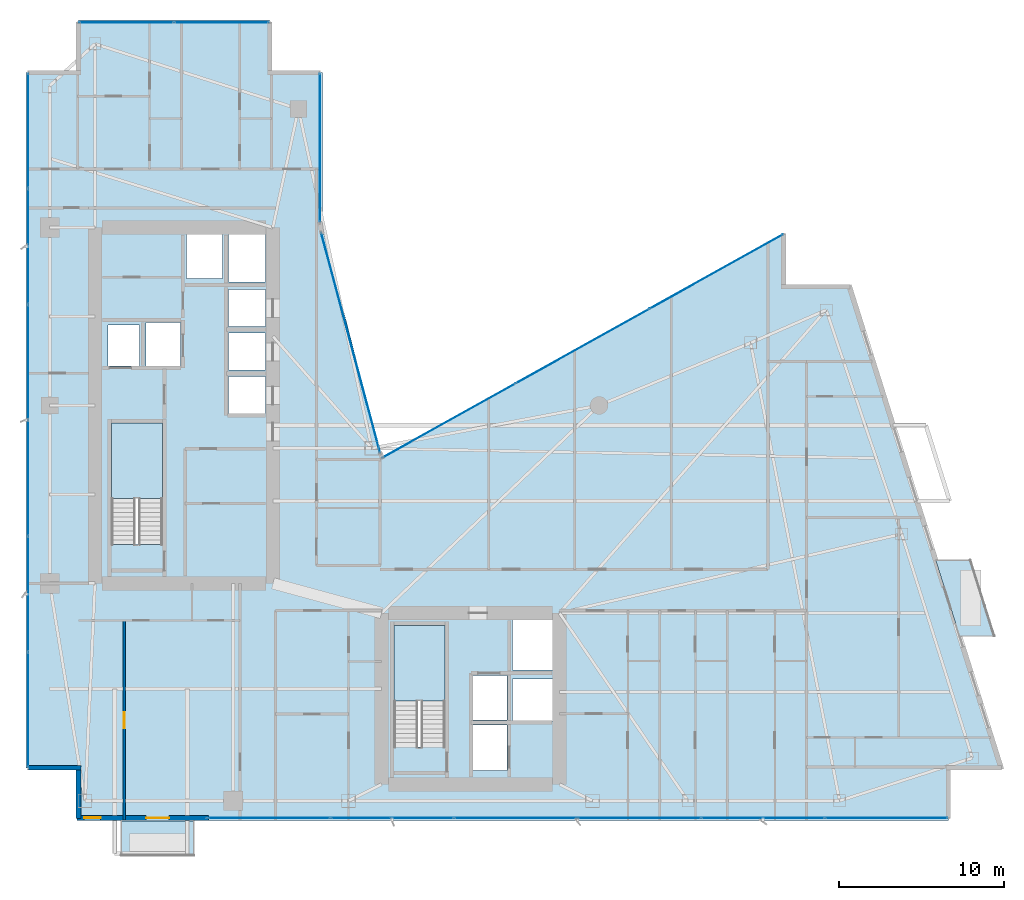
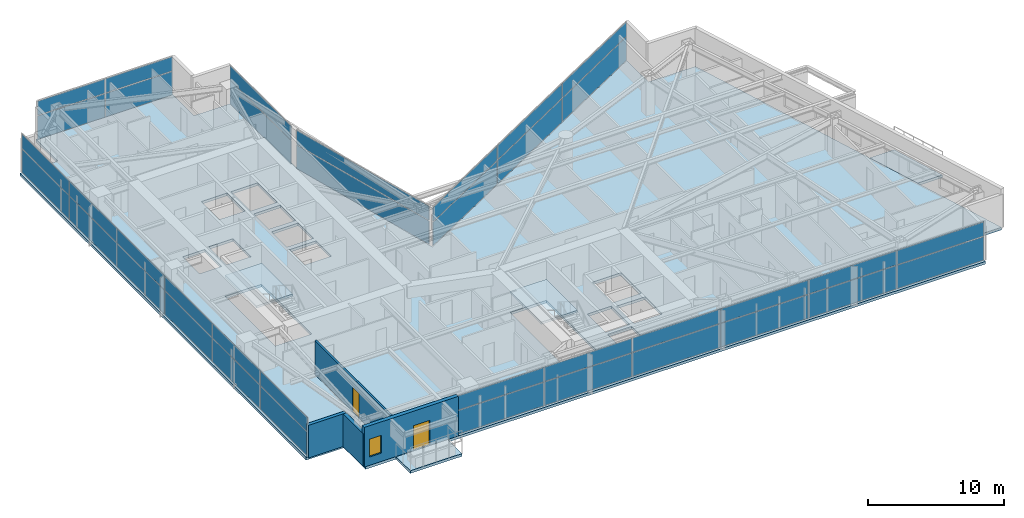
# One storey, part 21 of 28: 38 plates, 5 slabs, 4 walls, 2 doors, 1 window, 3 openings, 8 elements without a shape of their own.
"""IFC4 building model written with IfcOpenShell, lengths in metres."""

from ifc_helpers import new_model, si_unit, direction, frame, frame_2d, origin, origin_2d, place, context, subcontext, project, spatial, polyline, rectangle, outline, extrude, material, layer, layer_set, type_object, element, fill, aggregate, save


model = new_model("IFC4")

# Units and contexts
model_context = context("Model", 3, precision=1e-05, world=origin(), true_north=direction((0.0, 1.0)))
body_context = subcontext(model_context, "Body", "Model", "MODEL_VIEW")
ifc_project = project(units=[si_unit("LENGTHUNIT", "METRE"), si_unit("AREAUNIT", "SQUARE_METRE"), si_unit("VOLUMEUNIT", "CUBIC_METRE"), si_unit("PLANEANGLEUNIT", "RADIAN"), si_unit("MASSUNIT", "GRAM", prefix="KILO")], contexts=[model_context])

# Site, building, storey
site_placement = place(None, origin())
site = spatial("IfcSite", under=ifc_project, at=site_placement, CompositionType="ELEMENT")
building_placement = place(site_placement, origin())
building = spatial("IfcBuilding", under=site, at=building_placement, Name="Calvorn Quay Hotel", CompositionType="ELEMENT")
storey_placement = place(building_placement, frame((0.0, 0.0, 178.89990234375)))
storey = spatial("IfcBuildingStorey", under=building, at=storey_placement, Name="L44", CompositionType="ELEMENT", Elevation=178.89990234375)

# Curtain wall, plates
ifc_material_1 = material(Name="Pale Anodised Aluminium and Low-E Glass", Category="aluminium")
ifc_layer_1 = layer(ifc_material_1, 0.219970703125)
ifc_layer_set_1 = layer_set([ifc_layer_1], Name="CW-SYS-Z2")
curtain_wall_type = type_object("IfcCurtainWallType", Name="CW-SYS-Z2", PredefinedType="NOTDEFINED", material=ifc_layer_set_1)
curtain_wall_1_placement = place(storey_placement, origin())
curtain_wall_1 = element("IfcCurtainWall", 1, at=curtain_wall_1_placement, inside=storey, type_object=curtain_wall_type, Name="Tower West Curtain Wall (L44)", PredefinedType="NOTDEFINED")
ifc_material_2 = material(Name="Low-E Laminated Double Glazing", Category="glass")
ifc_layer_2 = layer(ifc_material_2, 0.028076171875)
ifc_layer_set_2 = layer_set([ifc_layer_2], Name="CW-SYS-Z2-PAN")
plate_type = type_object("IfcPlateType", Name="CW-SYS-Z2-PAN", PredefinedType="CURTAIN_PANEL", material=ifc_layer_set_2)
plate_1_placement = place(storey_placement, frame((0.14990234375, 9.131591796875, 0.06005859375), z_axis=(0.0, 0.0, 1.0), x_axis=(0.0, 1.0, 0.0)))
plate_1 = element("IfcPlate", 2, at=plate_1_placement, type_object=plate_type, Name="CW-L44-W panel 1.1", PredefinedType="CURTAIN_PANEL", context=body_context, shape_type="SweptSolid", body=[
    extrude(rectangle(XDim=6.943359375, YDim=0.028076171875, at=origin_2d()), origin(), (0.0, 0.0, 1.0), 2.110107421875),
])
plate_2_placement = place(storey_placement, frame((0.14990234375, 9.131591796875, 2.22998046875), z_axis=(0.0, 0.0, 1.0), x_axis=(0.0, 1.0, 0.0)))
plate_2 = element("IfcPlate", 3, at=plate_2_placement, type_object=plate_type, Name="CW-L44-W panel 1.2", PredefinedType="CURTAIN_PANEL", context=body_context, shape_type="SweptSolid", body=[
    extrude(rectangle(XDim=6.943359375, YDim=0.028076171875, at=origin_2d()), origin(), (0.0, 0.0, 1.0), 1.27001953125),
])
plate_3_placement = place(storey_placement, frame((0.14990234375, 16.14990234375, 0.06005859375), z_axis=(0.0, 0.0, 1.0), x_axis=(0.0, 1.0, 0.0)))
plate_3 = element("IfcPlate", 4, at=plate_3_placement, type_object=plate_type, Name="CW-L44-W panel 2.1", PredefinedType="CURTAIN_PANEL", context=body_context, shape_type="SweptSolid", body=[
    extrude(rectangle(XDim=6.973388671875, YDim=0.028076171875, at=origin_2d()), origin(), (0.0, 0.0, 1.0), 2.110107421875),
])
plate_4_placement = place(storey_placement, frame((0.14990234375, 16.14990234375, 2.22998046875), z_axis=(0.0, 0.0, 1.0), x_axis=(0.0, 1.0, 0.0)))
plate_4 = element("IfcPlate", 5, at=plate_4_placement, type_object=plate_type, Name="CW-L44-W panel 2.2", PredefinedType="CURTAIN_PANEL", context=body_context, shape_type="SweptSolid", body=[
    extrude(rectangle(XDim=6.973388671875, YDim=0.028076171875, at=origin_2d()), origin(), (0.0, 0.0, 1.0), 1.27001953125),
])
plate_5_placement = place(storey_placement, frame((0.14990234375, 23.183349609375, 0.06005859375), z_axis=(0.0, 0.0, 1.0), x_axis=(0.0, 1.0, 0.0)))
plate_5 = element("IfcPlate", 6, at=plate_5_placement, type_object=plate_type, Name="CW-L44-W panel 3.1", PredefinedType="CURTAIN_PANEL", context=body_context, shape_type="SweptSolid", body=[
    extrude(rectangle(XDim=6.973388671875, YDim=0.028076171875, at=origin_2d()), origin(), (0.0, 0.0, 1.0), 2.110107421875),
])
plate_6_placement = place(storey_placement, frame((0.14990234375, 23.183349609375, 2.22998046875), z_axis=(0.0, 0.0, 1.0), x_axis=(0.0, 1.0, 0.0)))
plate_6 = element("IfcPlate", 7, at=plate_6_placement, type_object=plate_type, Name="CW-L44-W panel 3.2", PredefinedType="CURTAIN_PANEL", context=body_context, shape_type="SweptSolid", body=[
    extrude(rectangle(XDim=6.973388671875, YDim=0.028076171875, at=origin_2d()), origin(), (0.0, 0.0, 1.0), 1.27001953125),
])
plate_7_placement = place(storey_placement, frame((0.14990234375, 30.216552734375, 0.06005859375), z_axis=(0.0, 0.0, 1.0), x_axis=(0.0, 1.0, 0.0)))
plate_7 = element("IfcPlate", 8, at=plate_7_placement, type_object=plate_type, Name="CW-L44-W panel 4.1", PredefinedType="CURTAIN_PANEL", context=body_context, shape_type="SweptSolid", body=[
    extrude(rectangle(XDim=6.973388671875, YDim=0.028076171875, at=origin_2d()), origin(), (0.0, 0.0, 1.0), 2.110107421875),
])
plate_8_placement = place(storey_placement, frame((0.14990234375, 30.216552734375, 2.22998046875), z_axis=(0.0, 0.0, 1.0), x_axis=(0.0, 1.0, 0.0)))
plate_8 = element("IfcPlate", 9, at=plate_8_placement, type_object=plate_type, Name="CW-L44-W panel 4.2", PredefinedType="CURTAIN_PANEL", context=body_context, shape_type="SweptSolid", body=[
    extrude(rectangle(XDim=6.973388671875, YDim=0.028076171875, at=origin_2d()), origin(), (0.0, 0.0, 1.0), 1.27001953125),
])
plate_9_placement = place(storey_placement, frame((0.14990234375, 37.25, 0.06005859375), z_axis=(0.0, 0.0, 1.0), x_axis=(0.0, 1.0, 0.0)))
plate_9 = element("IfcPlate", 10, at=plate_9_placement, type_object=plate_type, Name="CW-L44-W panel 5.1", PredefinedType="CURTAIN_PANEL", context=body_context, shape_type="SweptSolid", body=[
    extrude(rectangle(XDim=6.973388671875, YDim=0.028076171875, at=origin_2d()), origin(), (0.0, 0.0, 1.0), 2.110107421875),
])
plate_10_placement = place(storey_placement, frame((0.14990234375, 37.25, 2.22998046875), z_axis=(0.0, 0.0, 1.0), x_axis=(0.0, 1.0, 0.0)))
plate_10 = element("IfcPlate", 11, at=plate_10_placement, type_object=plate_type, Name="CW-L44-W panel 5.2", PredefinedType="CURTAIN_PANEL", context=body_context, shape_type="SweptSolid", body=[
    extrude(rectangle(XDim=6.973388671875, YDim=0.028076171875, at=origin_2d()), origin(), (0.0, 0.0, 1.0), 1.27001953125),
])
plate_11_placement = place(storey_placement, frame((0.14990234375, 44.268310546875, 0.06005859375), z_axis=(0.0, 0.0, 1.0), x_axis=(0.0, 1.0, 0.0)))
plate_11 = element("IfcPlate", 12, at=plate_11_placement, type_object=plate_type, Name="CW-L44-W panel 6.1", PredefinedType="CURTAIN_PANEL", context=body_context, shape_type="SweptSolid", body=[
    extrude(rectangle(XDim=6.943359375, YDim=0.028076171875, at=origin_2d()), origin(), (0.0, 0.0, 1.0), 2.110107421875),
])
plate_12_placement = place(storey_placement, frame((0.14990234375, 44.268310546875, 2.22998046875), z_axis=(0.0, 0.0, 1.0), x_axis=(0.0, 1.0, 0.0)))
plate_12 = element("IfcPlate", 13, at=plate_12_placement, type_object=plate_type, Name="CW-L44-W panel 6.2", PredefinedType="CURTAIN_PANEL", context=body_context, shape_type="SweptSolid", body=[
    extrude(rectangle(XDim=6.943359375, YDim=0.028076171875, at=origin_2d()), origin(), (0.0, 0.0, 1.0), 1.27001953125),
])
aggregate(curtain_wall_1, [plate_1, plate_2, plate_3, plate_4, plate_5, plate_6, plate_7, plate_8, plate_9, plate_10, plate_11, plate_12])

curtain_wall_2_placement = place(storey_placement, origin())
curtain_wall_2 = element("IfcCurtainWall", 14, at=curtain_wall_2_placement, inside=storey, type_object=curtain_wall_type, Name="Tower South Waterfront Curtain Wall (L44)", PredefinedType="NOTDEFINED")
plate_13_placement = place(storey_placement, frame((14.764892578125, 2.550048828125, 0.06005859375), z_axis=(0.0, 0.0, 1.0), x_axis=(1.0, 0.0, 0.0)))
plate_13 = element("IfcPlate", 15, at=plate_13_placement, type_object=plate_type, Name="CW-L44-S panel 1.1", PredefinedType="CURTAIN_PANEL", context=body_context, shape_type="SweptSolid", body=[
    extrude(rectangle(XDim=7.409912109375, YDim=0.028076171875, at=origin_2d()), origin(), (0.0, 0.0, 1.0), 2.110107421875),
])
plate_14_placement = place(storey_placement, frame((14.764892578125, 2.550048828125, 2.22998046875), z_axis=(0.0, 0.0, 1.0), x_axis=(1.0, 0.0, 0.0)))
plate_14 = element("IfcPlate", 16, at=plate_14_placement, type_object=plate_type, Name="CW-L44-S panel 1.2", PredefinedType="CURTAIN_PANEL", context=body_context, shape_type="SweptSolid", body=[
    extrude(rectangle(XDim=7.409912109375, YDim=0.028076171875, at=origin_2d()), origin(), (0.0, 0.0, 1.0), 1.27001953125),
])
plate_15_placement = place(storey_placement, frame((22.25, 2.550048828125, 0.06005859375), z_axis=(0.0, 0.0, 1.0), x_axis=(1.0, 0.0, 0.0)))
plate_15 = element("IfcPlate", 17, at=plate_15_placement, type_object=plate_type, Name="CW-L44-S panel 2.1", PredefinedType="CURTAIN_PANEL", context=body_context, shape_type="SweptSolid", body=[
    extrude(rectangle(XDim=7.43994140625, YDim=0.028076171875, at=origin_2d()), origin(), (0.0, 0.0, 1.0), 2.110107421875),
])
plate_16_placement = place(storey_placement, frame((22.25, 2.550048828125, 2.22998046875), z_axis=(0.0, 0.0, 1.0), x_axis=(1.0, 0.0, 0.0)))
plate_16 = element("IfcPlate", 18, at=plate_16_placement, type_object=plate_type, Name="CW-L44-S panel 2.2", PredefinedType="CURTAIN_PANEL", context=body_context, shape_type="SweptSolid", body=[
    extrude(rectangle(XDim=7.43994140625, YDim=0.028076171875, at=origin_2d()), origin(), (0.0, 0.0, 1.0), 1.27001953125),
])
plate_17_placement = place(storey_placement, frame((29.75, 2.550048828125, 0.06005859375), z_axis=(0.0, 0.0, 1.0), x_axis=(1.0, 0.0, 0.0)))
plate_17 = element("IfcPlate", 19, at=plate_17_placement, type_object=plate_type, Name="CW-L44-S panel 3.1", PredefinedType="CURTAIN_PANEL", context=body_context, shape_type="SweptSolid", body=[
    extrude(rectangle(XDim=7.43994140625, YDim=0.028076171875, at=origin_2d()), origin(), (0.0, 0.0, 1.0), 2.110107421875),
])
plate_18_placement = place(storey_placement, frame((29.75, 2.550048828125, 2.22998046875), z_axis=(0.0, 0.0, 1.0), x_axis=(1.0, 0.0, 0.0)))
plate_18 = element("IfcPlate", 20, at=plate_18_placement, type_object=plate_type, Name="CW-L44-S panel 3.2", PredefinedType="CURTAIN_PANEL", context=body_context, shape_type="SweptSolid", body=[
    extrude(rectangle(XDim=7.43994140625, YDim=0.028076171875, at=origin_2d()), origin(), (0.0, 0.0, 1.0), 1.27001953125),
])
plate_19_placement = place(storey_placement, frame((37.25, 2.550048828125, 0.06005859375), z_axis=(0.0, 0.0, 1.0), x_axis=(1.0, 0.0, 0.0)))
plate_19 = element("IfcPlate", 21, at=plate_19_placement, type_object=plate_type, Name="CW-L44-S panel 4.1", PredefinedType="CURTAIN_PANEL", context=body_context, shape_type="SweptSolid", body=[
    extrude(rectangle(XDim=7.43994140625, YDim=0.028076171875, at=origin_2d()), origin(), (0.0, 0.0, 1.0), 2.110107421875),
])
plate_20_placement = place(storey_placement, frame((37.25, 2.550048828125, 2.22998046875), z_axis=(0.0, 0.0, 1.0), x_axis=(1.0, 0.0, 0.0)))
plate_20 = element("IfcPlate", 22, at=plate_20_placement, type_object=plate_type, Name="CW-L44-S panel 4.2", PredefinedType="CURTAIN_PANEL", context=body_context, shape_type="SweptSolid", body=[
    extrude(rectangle(XDim=7.43994140625, YDim=0.028076171875, at=origin_2d()), origin(), (0.0, 0.0, 1.0), 1.27001953125),
])
plate_21_placement = place(storey_placement, frame((44.75, 2.550048828125, 0.06005859375), z_axis=(0.0, 0.0, 1.0), x_axis=(1.0, 0.0, 0.0)))
plate_21 = element("IfcPlate", 23, at=plate_21_placement, type_object=plate_type, Name="CW-L44-S panel 5.1", PredefinedType="CURTAIN_PANEL", context=body_context, shape_type="SweptSolid", body=[
    extrude(rectangle(XDim=7.43994140625, YDim=0.028076171875, at=origin_2d()), origin(), (0.0, 0.0, 1.0), 2.110107421875),
])
plate_22_placement = place(storey_placement, frame((44.75, 2.550048828125, 2.22998046875), z_axis=(0.0, 0.0, 1.0), x_axis=(1.0, 0.0, 0.0)))
plate_22 = element("IfcPlate", 24, at=plate_22_placement, type_object=plate_type, Name="CW-L44-S panel 5.2", PredefinedType="CURTAIN_PANEL", context=body_context, shape_type="SweptSolid", body=[
    extrude(rectangle(XDim=7.43994140625, YDim=0.028076171875, at=origin_2d()), origin(), (0.0, 0.0, 1.0), 1.27001953125),
])
plate_23_placement = place(storey_placement, frame((52.235107421875, 2.550048828125, 0.06005859375), z_axis=(0.0, 0.0, 1.0), x_axis=(1.0, 0.0, 0.0)))
plate_23 = element("IfcPlate", 25, at=plate_23_placement, type_object=plate_type, Name="CW-L44-S panel 6.1", PredefinedType="CURTAIN_PANEL", context=body_context, shape_type="SweptSolid", body=[
    extrude(rectangle(XDim=7.409912109375, YDim=0.028076171875, at=origin_2d()), origin(), (0.0, 0.0, 1.0), 2.110107421875),
])
plate_24_placement = place(storey_placement, frame((52.235107421875, 2.550048828125, 2.22998046875), z_axis=(0.0, 0.0, 1.0), x_axis=(1.0, 0.0, 0.0)))
plate_24 = element("IfcPlate", 26, at=plate_24_placement, type_object=plate_type, Name="CW-L44-S panel 6.2", PredefinedType="CURTAIN_PANEL", context=body_context, shape_type="SweptSolid", body=[
    extrude(rectangle(XDim=7.409912109375, YDim=0.028076171875, at=origin_2d()), origin(), (0.0, 0.0, 1.0), 1.27001953125),
])
aggregate(curtain_wall_2, [plate_13, plate_14, plate_15, plate_16, plate_17, plate_18, plate_19, plate_20, plate_21, plate_22, plate_23, plate_24])

curtain_wall_3_placement = place(storey_placement, origin())
curtain_wall_3 = element("IfcCurtainWall", 27, at=curtain_wall_3_placement, inside=storey, type_object=curtain_wall_type, Name="Inner Court Curtain Wall L44-NE1", PredefinedType="NOTDEFINED")
plate_25_placement = place(storey_placement, frame((41.920166015625, 35.72607421875, 0.06005859375), z_axis=(0.0, 0.0, 1.0), x_axis=(-0.873480989116, -0.486858256224, 0.0)))
plate_25 = element("IfcPlate", 28, at=plate_25_placement, type_object=plate_type, Name="CW-L44-NE1 panel 1.1", PredefinedType="CURTAIN_PANEL", context=body_context, shape_type="SweptSolid", body=[
    extrude(rectangle(XDim=9.221435546875, YDim=0.028076171875, at=origin_2d()), origin(), (0.0, 0.0, 1.0), 2.110107421875),
])
plate_26_placement = place(storey_placement, frame((41.920166015625, 35.72607421875, 2.22998046875), z_axis=(0.0, 0.0, 1.0), x_axis=(-0.873480989116, -0.486858256224, 0.0)))
plate_26 = element("IfcPlate", 29, at=plate_26_placement, type_object=plate_type, Name="CW-L44-NE1 panel 1.2", PredefinedType="CURTAIN_PANEL", context=body_context, shape_type="SweptSolid", body=[
    extrude(rectangle(XDim=9.221435546875, YDim=0.028076171875, at=origin_2d()), origin(), (0.0, 0.0, 1.0), 1.27001953125),
])
plate_27_placement = place(storey_placement, frame((33.800048828125, 31.199951171875, 0.06005859375), z_axis=(0.0, 0.0, 1.0), x_axis=(-0.873480989116, -0.486858256224, 0.0)))
plate_27 = element("IfcPlate", 30, at=plate_27_placement, type_object=plate_type, Name="CW-L44-NE1 panel 2.1", PredefinedType="CURTAIN_PANEL", context=body_context, shape_type="SweptSolid", body=[
    extrude(rectangle(XDim=9.25146484375, YDim=0.028076171875, at=origin_2d()), origin(), (0.0, 0.0, 1.0), 2.110107421875),
])
plate_28_placement = place(storey_placement, frame((33.800048828125, 31.199951171875, 2.22998046875), z_axis=(0.0, 0.0, 1.0), x_axis=(-0.873480989116, -0.486858256224, 0.0)))
plate_28 = element("IfcPlate", 31, at=plate_28_placement, type_object=plate_type, Name="CW-L44-NE1 panel 2.2", PredefinedType="CURTAIN_PANEL", context=body_context, shape_type="SweptSolid", body=[
    extrude(rectangle(XDim=9.25146484375, YDim=0.028076171875, at=origin_2d()), origin(), (0.0, 0.0, 1.0), 1.27001953125),
])
plate_29_placement = place(storey_placement, frame((25.6796875, 26.674072265625, 0.06005859375), z_axis=(0.0, 0.0, 1.0), x_axis=(-0.873480989116, -0.486858256224, 0.0)))
plate_29 = element("IfcPlate", 32, at=plate_29_placement, type_object=plate_type, Name="CW-L44-NE1 panel 3.1", PredefinedType="CURTAIN_PANEL", context=body_context, shape_type="SweptSolid", body=[
    extrude(rectangle(XDim=9.221435546875, YDim=0.028076171875, at=origin_2d()), origin(), (0.0, 0.0, 1.0), 2.110107421875),
])
plate_30_placement = place(storey_placement, frame((25.6796875, 26.674072265625, 2.22998046875), z_axis=(0.0, 0.0, 1.0), x_axis=(-0.873480989116, -0.486858256224, 0.0)))
plate_30 = element("IfcPlate", 33, at=plate_30_placement, type_object=plate_type, Name="CW-L44-NE1 panel 3.2", PredefinedType="CURTAIN_PANEL", context=body_context, shape_type="SweptSolid", body=[
    extrude(rectangle(XDim=9.221435546875, YDim=0.028076171875, at=origin_2d()), origin(), (0.0, 0.0, 1.0), 1.27001953125),
])
aggregate(curtain_wall_3, [plate_25, plate_26, plate_27, plate_28, plate_29, plate_30])

curtain_wall_4_placement = place(storey_placement, origin())
curtain_wall_4 = element("IfcCurtainWall", 34, at=curtain_wall_4_placement, inside=storey, type_object=curtain_wall_type, Name="Inner Court Curtain Wall L44-IC1", PredefinedType="NOTDEFINED")
plate_31_placement = place(storey_placement, frame((19.72509765625, 31.39990234375, 0.06005859375), z_axis=(0.0, 0.0, 1.0), x_axis=(-0.25877913024, 0.96593652056, 0.0)))
plate_31 = element("IfcPlate", 35, at=plate_31_placement, type_object=plate_type, Name="CW-L44-IC1 panel 1.1", PredefinedType="CURTAIN_PANEL", context=body_context, shape_type="SweptSolid", body=[
    extrude(rectangle(XDim=13.814697265625, YDim=0.028076171875, at=origin_2d()), origin(), (0.0, 0.0, 1.0), 2.110107421875),
])
plate_32_placement = place(storey_placement, frame((19.72509765625, 31.39990234375, 2.22998046875), z_axis=(0.0, 0.0, 1.0), x_axis=(-0.25877913024, 0.96593652056, 0.0)))
plate_32 = element("IfcPlate", 36, at=plate_32_placement, type_object=plate_type, Name="CW-L44-IC1 panel 1.2", PredefinedType="CURTAIN_PANEL", context=body_context, shape_type="SweptSolid", body=[
    extrude(rectangle(XDim=13.814697265625, YDim=0.028076171875, at=origin_2d()), origin(), (0.0, 0.0, 1.0), 1.27001953125),
])
aggregate(curtain_wall_4, [plate_31, plate_32])

curtain_wall_5_placement = place(storey_placement, origin())
curtain_wall_5 = element("IfcCurtainWall", 37, at=curtain_wall_5_placement, inside=storey, type_object=curtain_wall_type, Name="Inner Court Curtain Wall L44-IC2", PredefinedType="NOTDEFINED")
plate_33_placement = place(storey_placement, frame((17.85009765625, 43.239990234375, 0.06005859375), z_axis=(0.0, 0.0, 1.0), x_axis=(0.0, 1.0, 0.0)))
plate_33 = element("IfcPlate", 38, at=plate_33_placement, type_object=plate_type, Name="CW-L44-IC2 panel 1.1", PredefinedType="CURTAIN_PANEL", context=body_context, shape_type="SweptSolid", body=[
    extrude(rectangle(XDim=9.0, YDim=0.028076171875, at=origin_2d()), origin(), (0.0, 0.0, 1.0), 2.110107421875),
])
plate_34_placement = place(storey_placement, frame((17.85009765625, 43.239990234375, 2.22998046875), z_axis=(0.0, 0.0, 1.0), x_axis=(0.0, 1.0, 0.0)))
plate_34 = element("IfcPlate", 39, at=plate_34_placement, type_object=plate_type, Name="CW-L44-IC2 panel 1.2", PredefinedType="CURTAIN_PANEL", context=body_context, shape_type="SweptSolid", body=[
    extrude(rectangle(XDim=9.0, YDim=0.028076171875, at=origin_2d()), origin(), (0.0, 0.0, 1.0), 1.27001953125),
])
aggregate(curtain_wall_5, [plate_33, plate_34])

curtain_wall_6_placement = place(storey_placement, origin())
curtain_wall_6 = element("IfcCurtainWall", 40, at=curtain_wall_6_placement, inside=storey, type_object=curtain_wall_type, Name="Inner Court Curtain Wall L44-N1", PredefinedType="NOTDEFINED")
plate_35_placement = place(storey_placement, frame((11.885009765625, 50.85009765625, 0.06005859375), z_axis=(0.0, 0.0, 1.0), x_axis=(-1.0, 0.0, 0.0)))
plate_35 = element("IfcPlate", 41, at=plate_35_placement, type_object=plate_type, Name="CW-L44-N1 panel 1.1", PredefinedType="CURTAIN_PANEL", context=body_context, shape_type="SweptSolid", body=[
    extrude(rectangle(XDim=5.7099609375, YDim=0.028076171875, at=origin_2d()), origin(), (0.0, 0.0, 1.0), 2.110107421875),
])
plate_36_placement = place(storey_placement, frame((11.885009765625, 50.85009765625, 2.22998046875), z_axis=(0.0, 0.0, 1.0), x_axis=(-1.0, 0.0, 0.0)))
plate_36 = element("IfcPlate", 42, at=plate_36_placement, type_object=plate_type, Name="CW-L44-N1 panel 1.2", PredefinedType="CURTAIN_PANEL", context=body_context, shape_type="SweptSolid", body=[
    extrude(rectangle(XDim=5.7099609375, YDim=0.028076171875, at=origin_2d()), origin(), (0.0, 0.0, 1.0), 1.27001953125),
])
plate_37_placement = place(storey_placement, frame((6.114990234375, 50.85009765625, 0.06005859375), z_axis=(0.0, 0.0, 1.0), x_axis=(-1.0, 0.0, 0.0)))
plate_37 = element("IfcPlate", 43, at=plate_37_placement, type_object=plate_type, Name="CW-L44-N1 panel 2.1", PredefinedType="CURTAIN_PANEL", context=body_context, shape_type="SweptSolid", body=[
    extrude(rectangle(XDim=5.7099609375, YDim=0.028076171875, at=origin_2d()), origin(), (0.0, 0.0, 1.0), 2.110107421875),
])
plate_38_placement = place(storey_placement, frame((6.114990234375, 50.85009765625, 2.22998046875), z_axis=(0.0, 0.0, 1.0), x_axis=(-1.0, 0.0, 0.0)))
plate_38 = element("IfcPlate", 44, at=plate_38_placement, type_object=plate_type, Name="CW-L44-N1 panel 2.2", PredefinedType="CURTAIN_PANEL", context=body_context, shape_type="SweptSolid", body=[
    extrude(rectangle(XDim=5.7099609375, YDim=0.028076171875, at=origin_2d()), origin(), (0.0, 0.0, 1.0), 1.27001953125),
])
aggregate(curtain_wall_6, [plate_35, plate_36, plate_37, plate_38])

# Slabs
ifc_material_3 = material(Name="Concrete C40", Category="concrete")
ifc_layer_3 = layer(ifc_material_3, 0.239990234375)
ifc_layer_set_3 = layer_set([ifc_layer_3], Name="SLB-BALCONY-220")
slab_type_1 = type_object("IfcSlabType", Name="SLB-BALCONY-220", PredefinedType="FLOOR", material=ifc_layer_set_3)
slab_1_placement = place(storey_placement, frame((0.0, 0.0, -0.239990234375)))
element("IfcSlab", 45, at=slab_1_placement, inside=storey, type_object=slab_type_1, Name="Tree Balcony Slab L44-BALC-E", PredefinedType="FLOOR", context=body_context, shape_type="SweptSolid", body=[
    extrude(outline(polyline([(56.68896484375, 13.60009765625), (58.7890625, 13.60009765625), (57.340087890625, 18.199951171875), (55.239990234375, 18.199951171875), (56.68896484375, 13.60009765625)])), origin(), (0.0, 0.0, 1.0), 0.239990234375),
])
slab_2_placement = place(storey_placement, frame((0.0, 0.0, -0.239990234375)))
element("IfcSlab", 46, at=slab_2_placement, inside=storey, type_object=slab_type_1, Name="Tree Balcony Slab L44-BALC-S", PredefinedType="FLOOR", context=body_context, shape_type="SweptSolid", body=[
    extrude(outline(polyline([(5.800048828125, 0.2900390625), (10.199951171875, 0.2900390625), (10.199951171875, 2.389892578125), (5.800048828125, 2.389892578125), (5.800048828125, 0.2900390625)])), origin(), (0.0, 0.0, 1.0), 0.239990234375),
])

# Stair, slab
ifc_material_4 = material(Name="Concrete C40", Category="concrete")
stair_type = type_object("IfcStairType", Name="STR-CORE-DOGLEG", PredefinedType="HALF_TURN_STAIR", material=ifc_material_4)
stair_1_placement = place(storey_placement, origin())
stair_1 = element("IfcStair", 47, at=stair_1_placement, inside=storey, type_object=stair_type, Name="L44 ST-W", PredefinedType="HALF_TURN_STAIR")
ifc_material_5 = material(Name="Concrete C40", Category="concrete")
ifc_layer_4 = layer(ifc_material_5, 0.199951171875)
ifc_layer_set_4 = layer_set([ifc_layer_4], Name="SLB-STAIR-LANDING-200")
slab_type_2 = type_object("IfcSlabType", Name="SLB-STAIR-LANDING-200", PredefinedType="LANDING", material=ifc_layer_set_4)
slab_3_placement = place(storey_placement, frame((0.0, 0.0, 1.7001953125)))
slab_3 = element("IfcSlab", 48, at=slab_3_placement, type_object=slab_type_2, Name="ST-W landing 1", PredefinedType="LANDING", context=body_context, shape_type="SweptSolid", body=[
    extrude(outline(polyline([(8.300048828125, 21.949951171875), (8.300048828125, 26.550048828125), (5.199951171875, 26.550048828125), (5.199951171875, 21.949951171875), (8.300048828125, 21.949951171875)])), origin(), (0.0, 0.0, 1.0), 0.199951171875),
])
aggregate(stair_1, [slab_3])

stair_2_placement = place(storey_placement, origin())
stair_2 = element("IfcStair", 49, at=stair_2_placement, inside=storey, type_object=stair_type, Name="L44 ST-E", PredefinedType="HALF_TURN_STAIR")
slab_4_placement = place(storey_placement, frame((0.0, 0.0, 1.7001953125)))
slab_4 = element("IfcSlab", 50, at=slab_4_placement, type_object=slab_type_2, Name="ST-E landing 1", PredefinedType="LANDING", context=body_context, shape_type="SweptSolid", body=[
    extrude(outline(polyline([(25.449951171875, 9.64990234375), (25.449951171875, 14.25), (22.35009765625, 14.25), (22.35009765625, 9.64990234375), (25.449951171875, 9.64990234375)])), origin(), (0.0, 0.0, 1.0), 0.199951171875),
])
aggregate(stair_2, [slab_4])

# Slab
ifc_material_6 = material(Name="Concrete C40", Category="concrete")
ifc_layer_5 = layer(ifc_material_6, 0.239990234375)
ifc_layer_set_5 = layer_set([ifc_layer_5], Name="SLB-TOWER-240")
slab_type_3 = type_object("IfcSlabType", Name="SLB-TOWER-240", PredefinedType="FLOOR", material=ifc_layer_set_5)
slab_5_placement = place(storey_placement, frame((0.0, 0.0, -0.239990234375)))
element("IfcSlab", 51, at=slab_5_placement, inside=storey, type_object=slab_type_3, Name="L44 Structural Floor Slab", PredefinedType="FLOOR", context=body_context, shape_type="SweptSolid", body=[
    extrude(outline(polyline([(0.0, 5.60009765625), (3.199951171875, 5.60009765625), (3.199951171875, 2.39990234375), (56.0, 2.39990234375), (56.0, 5.60009765625), (59.199951171875, 5.60009765625), (50.0, 34.800048828125), (46.0, 34.800048828125), (46.0, 38.0), (21.60009765625, 24.39990234375), (18.0, 38.39990234375), (18.0, 47.800048828125), (14.800048828125, 47.800048828125), (14.800048828125, 51.0), (3.199951171875, 51.0), (3.199951171875, 47.800048828125), (0.0, 47.800048828125), (0.0, 5.60009765625)]), holes=[polyline([(5.199951171875, 19.156005859375), (8.300048828125, 19.156005859375), (8.300048828125, 26.550048828125), (5.199951171875, 26.550048828125), (5.199951171875, 19.156005859375)]), polyline([(22.35009765625, 6.85595703125), (25.449951171875, 6.85595703125), (25.449951171875, 14.25), (22.35009765625, 14.25), (22.35009765625, 6.85595703125)]), polyline([(5.0, 30.0), (6.89990234375, 30.0), (6.89990234375, 32.5), (5.0, 32.5), (5.0, 30.0)]), polyline([(7.300048828125, 30.0), (9.39990234375, 30.0), (9.39990234375, 32.64990234375), (7.300048828125, 32.64990234375), (7.300048828125, 30.0)]), polyline([(27.159912109375, 8.5), (29.2099609375, 8.5), (29.2099609375, 11.199951171875), (27.159912109375, 11.199951171875), (27.159912109375, 8.5)]), polyline([(27.159912109375, 5.449951171875), (29.2099609375, 5.449951171875), (29.2099609375, 8.199951171875), (27.159912109375, 8.199951171875), (27.159912109375, 5.449951171875)]), polyline([(12.300048828125, 27.10009765625), (14.56494140625, 27.10009765625), (14.56494140625, 29.35009765625), (12.300048828125, 29.35009765625), (12.300048828125, 27.10009765625)]), polyline([(12.300048828125, 29.75), (14.56494140625, 29.75), (14.56494140625, 32.0), (12.300048828125, 32.0), (12.300048828125, 29.75)]), polyline([(12.300048828125, 32.39990234375), (14.56494140625, 32.39990234375), (14.56494140625, 34.64990234375), (12.300048828125, 34.64990234375), (12.300048828125, 32.39990234375)]), polyline([(12.300048828125, 35.10009765625), (14.56494140625, 35.10009765625), (14.56494140625, 37.965087890625), (12.300048828125, 37.965087890625), (12.300048828125, 35.10009765625)]), polyline([(9.75, 35.300048828125), (11.949951171875, 35.300048828125), (11.949951171875, 37.965087890625), (9.75, 37.965087890625), (9.75, 35.300048828125)]), polyline([(29.550048828125, 11.550048828125), (31.965087890625, 11.550048828125), (31.965087890625, 14.56494140625), (29.550048828125, 14.56494140625), (29.550048828125, 11.550048828125)]), polyline([(29.550048828125, 8.449951171875), (31.965087890625, 8.449951171875), (31.965087890625, 11.0), (29.550048828125, 11.0), (29.550048828125, 8.449951171875)])]), origin(), (0.0, 0.0, 1.0), 0.239990234375),
])

# Wall, openings, door, window
ifc_material_7 = material(Name="Concrete C40", Category="concrete")
ifc_layer_6 = layer(ifc_material_7, 0.320068359375)
ifc_layer_set_6 = layer_set([ifc_layer_6], Name="WL-EXT-SPANDREL-320")
wall_type_1 = type_object("IfcWallType", Name="WL-EXT-SPANDREL-320", PredefinedType="SOLIDWALL", material=ifc_layer_set_6)
wall_1_placement = place(storey_placement, frame((3.10009765625, 2.56005859375, 0.0), z_axis=(0.0, 0.0, 1.0), x_axis=(1.0, 0.0, 0.0)))
wall_1 = element("IfcWall", 52, at=wall_1_placement, inside=storey, type_object=wall_type_1, Name="South Balcony Exterior Wall (L44)", PredefinedType="SOLIDWALL", context=body_context, shape_type="SweptSolid", body=[
    extrude(rectangle(XDim=8.0, YDim=0.320068359375, at=frame_2d((4.0, 0.0))), origin(), (0.0, 0.0, 1.0), 3.56005859375),
])
opening_1_placement = place(wall_1_placement, frame((0.449951171875, 0.0, 0.75)))
opening_1 = element("IfcOpeningElement", 53, at=opening_1_placement, cuts=wall_1, Name="Opening WSB-L44-1", PredefinedType="OPENING", context=body_context, shape_type="SweptSolid", body=[
    extrude(rectangle(XDim=1.0, YDim=1.60009765625, at=frame_2d((0.5, 0.800048828125))), frame((0.0, 0.169921875, 0.0), z_axis=(0.0, -1.0, 0.0), x_axis=(1.0, 0.0, 0.0)), (0.0, 0.0, 1.0), 0.340087890625),
])
opening_2_placement = place(wall_1_placement, frame((4.199951171875, 0.0, 0.0)))
opening_2 = element("IfcOpeningElement", 54, at=opening_2_placement, cuts=wall_1, Name="Opening DB-L44-2", PredefinedType="OPENING", context=body_context, shape_type="SweptSolid", body=[
    extrude(rectangle(XDim=1.39990234375, YDim=2.25, at=frame_2d((0.699951171875, 1.125))), frame((0.0, 0.169921875, 0.0), z_axis=(0.0, -1.0, 0.0), x_axis=(1.0, 0.0, 0.0)), (0.0, 0.0, 1.0), 0.340087890625),
])
ifc_material_8 = material(Name="Typhoon-Rated Low-E Aluminium Terrace Door", Category="aluminium")
door_type_1 = type_object("IfcDoorType", Name="DR-BALCONY-GLZ-1400", OperationType="NOTDEFINED", PredefinedType="DOOR", material=ifc_material_8)
door_1_placement = place(opening_2_placement, origin())
door_1 = element("IfcDoor", 55, at=door_1_placement, inside=storey, type_object=door_type_1, Name="Tree Balcony Terrace Door L44-BALC-S", OperationType="SINGLE_SWING_LEFT", OverallHeight=2.25, OverallWidth=1.39990234375, PredefinedType="DOOR", context=body_context, shape_type="SweptSolid", body=[
    extrude(rectangle(XDim=1.39990234375, YDim=2.25, at=frame_2d((0.699951171875, 1.125))), frame((0.0, 0.02490234375, 0.0), z_axis=(0.0, -1.0, 0.0), x_axis=(1.0, 0.0, 0.0)), (0.0, 0.0, 1.0), 0.050048828125),
])
fill(opening_2, door_1)
ifc_material_9 = material(Name="Self-Closing Class B Side Fire Window")
window_type = type_object("IfcWindowType", Name="WIN-REFUGE-NARROW-1000x1600", PartitioningType="SINGLE_PANEL", PredefinedType="WINDOW", material=ifc_material_9)
window_placement = place(opening_1_placement, origin())
window = element("IfcWindow", 56, at=window_placement, inside=storey, type_object=window_type, Name="South Waterfront Side Window (L44)", OverallHeight=1.60009765625, OverallWidth=1.0, PartitioningType="SINGLE_PANEL", PredefinedType="WINDOW", context=body_context, shape_type="SweptSolid", body=[
    extrude(rectangle(XDim=1.0, YDim=1.60009765625, at=frame_2d((0.5, 0.800048828125))), frame((0.0, 0.030029296875, 0.0), z_axis=(0.0, -1.0, 0.0), x_axis=(1.0, 0.0, 0.0)), (0.0, 0.0, 1.0), 0.06005859375),
])
fill(opening_1, window)

# Walls
wall_2_placement = place(storey_placement, frame((0.1201171875, 5.60009765625, 0.0), z_axis=(0.0, 0.0, 1.0), x_axis=(1.0, 0.0, 0.0)))
element("IfcWall", 57, at=wall_2_placement, inside=storey, type_object=wall_type_1, Name="Notched Corner Spandrel L44-SW1", PredefinedType="SOLIDWALL", context=body_context, shape_type="SweptSolid", body=[
    extrude(rectangle(XDim=3.219970703125, YDim=0.280029296875, at=frame_2d((1.60986328125, 0.0))), origin(), (0.0, 0.0, 1.0), 2.940185546875),
])
wall_3_placement = place(storey_placement, frame((3.199951171875, 5.4599609375, 0.0), z_axis=(0.0, 0.0, 1.0), x_axis=(0.0, -1.0, 0.0)))
element("IfcWall", 58, at=wall_3_placement, inside=storey, type_object=wall_type_1, Name="Notched Corner Spandrel L44-SW2", PredefinedType="SOLIDWALL", context=body_context, shape_type="SweptSolid", body=[
    extrude(rectangle(XDim=2.93994140625, YDim=0.280029296875, at=frame_2d((1.469970703125, 0.0))), origin(), (0.0, 0.0, 1.0), 2.940185546875),
])

# Wall, opening, door
ifc_material_10 = material(Name="Double-Stud Acoustic Gypsum Partition")
ifc_layer_7 = layer(ifc_material_10, 0.159912109375)
ifc_layer_set_7 = layer_set([ifc_layer_7], Name="WL-INTERSUITE-160")
wall_type_2 = type_object("IfcWallType", Name="WL-INTERSUITE-160", PredefinedType="PARTITIONING", material=ifc_layer_set_7)
wall_4_placement = place(storey_placement, frame((5.97998046875, 2.43994140625, 0.0), z_axis=(0.0, 0.0, 1.0), x_axis=(0.0, 1.0, 0.0)))
wall_4 = element("IfcWall", 59, at=wall_4_placement, inside=storey, type_object=wall_type_2, Name="Partition Wall L44-WL-U01-MSP", PredefinedType="PARTITIONING", context=body_context, shape_type="SweptSolid", body=[
    extrude(rectangle(XDim=12.110107421875, YDim=0.159912109375, at=frame_2d((6.05517578125, 0.0))), origin(), (0.0, 0.0, 1.0), 3.0400390625),
])
opening_3_placement = place(wall_4_placement, frame((5.580078125, 0.0, 0.0)))
opening_3 = element("IfcOpeningElement", 60, at=opening_3_placement, cuts=wall_4, Name="Opening D-L44-M01", PredefinedType="OPENING", context=body_context, shape_type="SweptSolid", body=[
    extrude(rectangle(XDim=0.9599609375, YDim=2.199951171875, at=frame_2d((0.47998046875, 1.10009765625))), frame((0.0, 0.08984375, 0.0), z_axis=(0.0, -1.0, 0.0), x_axis=(1.0, 0.0, 0.0)), (0.0, 0.0, 1.0), 0.179931640625),
])
ifc_material_11 = material(Name="Solid Timber Internal Suite Door", Category="wood")
door_type_2 = type_object("IfcDoorType", Name="DR-SUITE-INT-960", OperationType="NOTDEFINED", PredefinedType="DOOR", material=ifc_material_11)
door_2_placement = place(opening_3_placement, origin())
door_2 = element("IfcDoor", 61, at=door_2_placement, inside=storey, type_object=door_type_2, Name="Suite Bedroom Door 01", OperationType="SINGLE_SWING_LEFT", OverallHeight=2.199951171875, OverallWidth=0.9599609375, PredefinedType="DOOR", context=body_context, shape_type="SweptSolid", body=[
    extrude(rectangle(XDim=0.9599609375, YDim=2.199951171875, at=frame_2d((0.47998046875, 1.10009765625))), frame((0.0, 0.02490234375, 0.0), z_axis=(0.0, -1.0, 0.0), x_axis=(1.0, 0.0, 0.0)), (0.0, 0.0, 1.0), 0.050048828125),
])
fill(opening_3, door_2)

save(model, "model.ifc")
